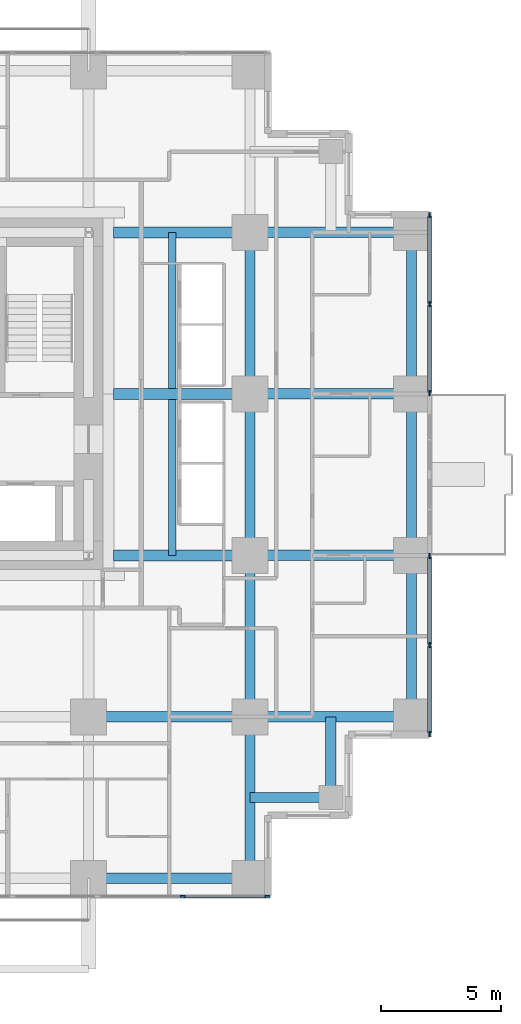
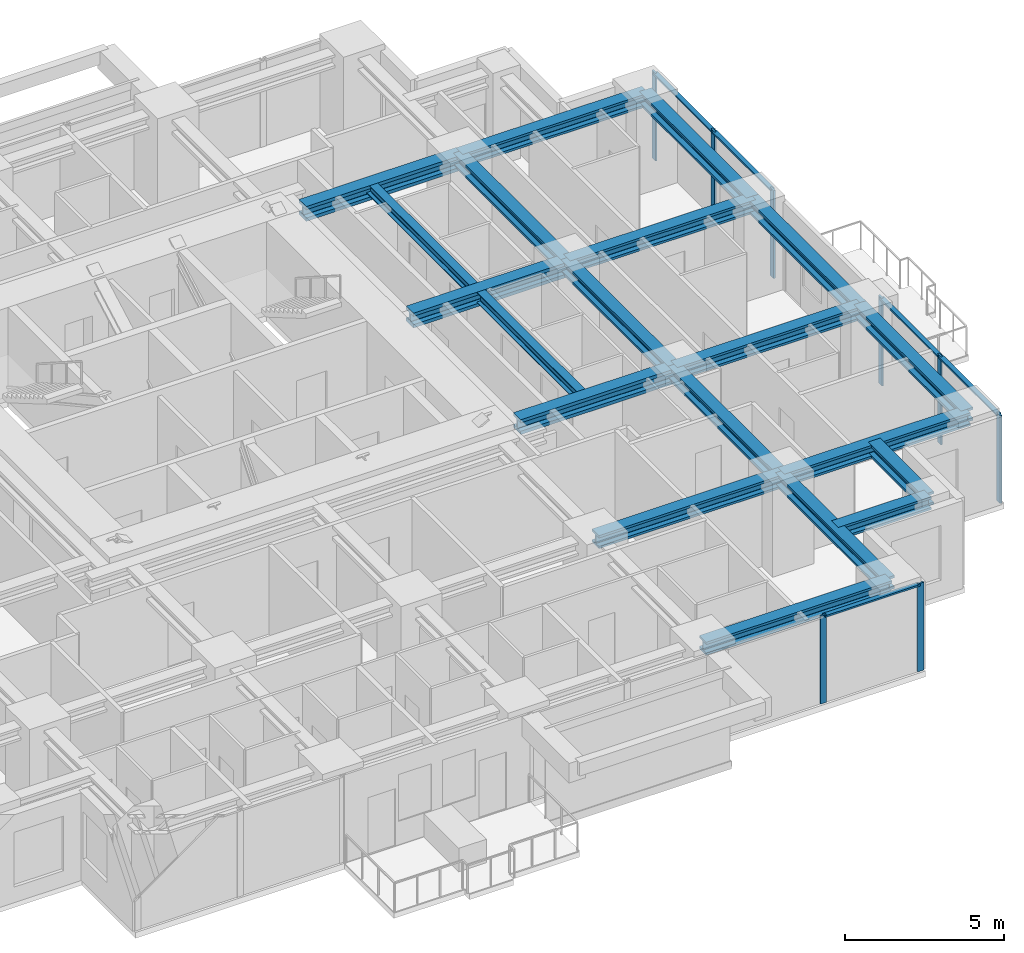
# One storey, part 4 of 13: 20 beams, 13 members, 3 elements without a shape of their own.
"""IFC4 building model written with IfcOpenShell, lengths in metres."""

import ifcopenshell
import ifcopenshell.guid

model = None  # the IFC model being written
_history = None  # IfcOwnerHistory: only IFC2X3 demands one
_inside = {}  # id of a spatial element -> (the spatial element, [elements in it])
_under = {}  # id of a project, library or spatial element -> (it, [spatial elements below it])
_declared = {}  # id of a project -> (the project, [libraries it declares])
_typed = {}  # id of a type object -> (the type object, [elements of that type])
_made_of = {}  # id of a material, layer set ... -> (it, [elements and type objects made of it])


def new_model(schema):
    """Start an empty IFC model of exactly this schema.

    Asked for "IFC4X3", IfcOpenShell would pick the latest addendum, in which some entities
    have other attributes; the version numbers below select the first issue.
    IFC2X3 requires an IfcOwnerHistory on every rooted entity: one is made here for all.
    """
    global model, _history
    if schema == "IFC4X3":
        model = ifcopenshell.file(schema_version=(4, 3, 0, 0))
    else:
        model = ifcopenshell.file(schema=schema)
    _inside.clear()
    _under.clear()
    _declared.clear()
    _typed.clear()
    _made_of.clear()
    _history = None
    if model.schema == "IFC2X3":
        org = make("IfcOrganization", Name="unknown")
        user = make(
            "IfcPersonAndOrganization",
            ThePerson=make("IfcPerson", FamilyName="unknown"),
            TheOrganization=org,
        )
        app = make(
            "IfcApplication",
            ApplicationDeveloper=org,
            Version="unknown",
            ApplicationFullName="unknown",
            ApplicationIdentifier="unknown",
        )
        _history = make(
            "IfcOwnerHistory",
            OwningUser=user,
            OwningApplication=app,
            ChangeAction="ADDED",
            CreationDate=0,
        )
    return model


def make(cls, **values):
    """One entity of the class cls with the attributes given. An attribute that is None is left unset."""
    return model.create_entity(
        cls, **{name: value for name, value in values.items() if value is not None}
    )


def rooted(cls, **values):
    """An entity with a GlobalId (a new one), such as an element, a storey or a relation."""
    return make(cls, GlobalId=ifcopenshell.guid.new(), OwnerHistory=_history, **values)


def si_unit(unit_type, name, prefix=None):
    """IfcSIUnit, for example si_unit("LENGTHUNIT", "METRE", prefix="MILLI")."""
    return make("IfcSIUnit", UnitType=unit_type, Prefix=prefix, Name=name)


def assignment(units):
    """IfcUnitAssignment: the units of a project."""
    return None if units is None else make("IfcUnitAssignment", Units=units)


def point(xyz):
    """IfcCartesianPoint."""
    return None if xyz is None else make("IfcCartesianPoint", Coordinates=xyz)


def direction(xyz):
    """IfcDirection."""
    return None if xyz is None else make("IfcDirection", DirectionRatios=xyz)


def frame(location, z_axis=None, x_axis=None):
    """IfcAxis2Placement3D, a coordinate frame: its origin and axes. An axis left out is left unset."""
    return make(
        "IfcAxis2Placement3D",
        Location=point(location),
        Axis=direction(z_axis),
        RefDirection=direction(x_axis),
    )


def frame_2d(location, x_axis=None):
    """IfcAxis2Placement2D, a coordinate frame in the plane: its origin and x axis."""
    return make(
        "IfcAxis2Placement2D", Location=point(location), RefDirection=direction(x_axis)
    )


def origin():
    """The frame at (0, 0, 0) with its axes left unset."""
    return frame((0.0, 0.0, 0.0))


def origin_2d():
    """The frame at (0, 0) in the plane with its x axis left unset."""
    return frame_2d((0.0, 0.0))


def place(relative_to, where):
    """IfcLocalPlacement: puts the frame where relative to a parent placement (None: the world)."""
    return make(
        "IfcLocalPlacement", PlacementRelTo=relative_to, RelativePlacement=where
    )


def context(
    kind, dimensions, precision=None, world=None, true_north=None, identifier=None
):
    """IfcGeometricRepresentationContext, for example the 3D "Model" context."""
    return make(
        "IfcGeometricRepresentationContext",
        ContextIdentifier=identifier,
        ContextType=kind,
        CoordinateSpaceDimension=dimensions,
        Precision=precision,
        WorldCoordinateSystem=world,
        TrueNorth=true_north,
    )


def subcontext(parent, identifier, kind, view, scale=None):
    """IfcGeometricRepresentationSubContext, for example "Body" below "Model"."""
    return make(
        "IfcGeometricRepresentationSubContext",
        ContextIdentifier=identifier,
        ContextType=kind,
        ParentContext=parent,
        TargetScale=scale,
        TargetView=view,
    )


def project(units=None, contexts=None):
    """IfcProject with its units and contexts."""
    return rooted(
        "IfcProject",
        Name="project",
        RepresentationContexts=contexts,
        UnitsInContext=assignment(units),
    )


def spatial(cls, under=None, at=None, **own):
    """A site, building, storey or space (cls), placed at a placement, below another one or the project."""
    s = rooted(cls, ObjectPlacement=at, **own)
    if under is not None:
        _under.setdefault(under.id(), (under, []))[1].append(s)
    return s


def profile(cls, at=None, kind="AREA", **sizes):
    """A parametric profile (cls). Its sizes go by their IFC names, for example OverallWidth=200.0."""
    return make(cls, ProfileType=kind, Position=at, **sizes)


def rectangle(**sizes):
    """IfcRectangleProfileDef."""
    return profile("IfcRectangleProfileDef", **sizes)


def i_section(**sizes):
    """IfcIShapeProfileDef."""
    return profile("IfcIShapeProfileDef", **sizes)


def extrude(swept, where, along, depth):
    """IfcExtrudedAreaSolid: the profile swept, set in the frame where, extruded along a direction by depth."""
    return make(
        "IfcExtrudedAreaSolid",
        SweptArea=swept,
        Position=where,
        ExtrudedDirection=direction(along),
        Depth=depth,
    )


def shape(context_of_items, identifier, shape_type, items):
    """IfcShapeRepresentation: the items that make up one representation, for example the "Body"."""
    return make(
        "IfcShapeRepresentation",
        ContextOfItems=context_of_items,
        RepresentationIdentifier=identifier,
        RepresentationType=shape_type,
        Items=items,
    )


def material(Name=None, Category=None):
    """IfcMaterial."""
    return make("IfcMaterial", Name=Name, Category=Category)


def material_profile(
    of_material, cross_section, Name=None, Category=None, Priority=None
):
    """IfcMaterialProfile: a cross section and its material."""
    return make(
        "IfcMaterialProfile",
        Name=Name,
        Material=of_material,
        Profile=cross_section,
        Priority=Priority,
        Category=Category,
    )


def profile_set(profiles, Name=None, composite=None):
    """IfcMaterialProfileSet."""
    return make(
        "IfcMaterialProfileSet",
        Name=Name,
        MaterialProfiles=profiles,
        CompositeProfile=composite,
    )


def made_of(thing, what):
    """Note that an element or type object is made of a material, layer set ...; save() writes the relation."""
    if what is not None:
        _made_of.setdefault(what.id(), (what, []))[1].append(thing)
    return thing


def type_object(cls, material=None, **own):
    """A type object (cls), such as IfcWallType, which elements share."""
    return made_of(rooted(cls, **own), material)


def element(
    cls,
    number,
    at=None,
    inside=None,
    cuts=None,
    type_object=None,
    material=None,
    context=None,
    identifier="Body",
    shape_type=None,
    held_by="IfcProductDefinitionShape",
    body=None,
    shapes=None,
    **own,
):
    """One element of the class cls, such as IfcWall. Its Tag is "e" and its number.

    at: its placement. inside: the storey or other place that contains it. cuts: it is an
    opening in that element (IfcRelVoidsElement). A single representation is given by context,
    identifier, shape_type and body (its items); several are given by shapes. held_by: the class
    of the entity that holds the representations. save() writes the other relations.
    """
    e = rooted(cls, Tag="e%d" % number, ObjectPlacement=at, **own)
    if body is not None:
        shapes = [shape(context, identifier, shape_type, body)]
    if shapes is not None:
        e.Representation = make(held_by, Representations=shapes)
    if inside is not None:
        _inside.setdefault(inside.id(), (inside, []))[1].append(e)
    if cuts is not None:
        rooted(
            "IfcRelVoidsElement", RelatingBuildingElement=cuts, RelatedOpeningElement=e
        )
    if type_object is not None:
        _typed.setdefault(type_object.id(), (type_object, []))[1].append(e)
    return made_of(e, material)


def aggregate(whole, parts):
    """IfcRelAggregates: a whole, such as a stair, and the parts it consists of."""
    return rooted("IfcRelAggregates", RelatingObject=whole, RelatedObjects=parts)


def save(model, path):
    """Write the relations noted so far, then the file.

    IfcRelAggregates (storeys below a building ...), IfcRelContainedInSpatialStructure (elements
    in a storey), IfcRelDefinesByType, IfcRelAssociatesMaterial and IfcRelDeclares: one each for
    every whole, place, type object, material and project.
    """
    for whole, parts in _under.values():
        aggregate(whole, parts)
    for where, things in _inside.values():
        rooted(
            "IfcRelContainedInSpatialStructure",
            RelatedElements=things,
            RelatingStructure=where,
        )
    for kind, things in _typed.values():
        rooted("IfcRelDefinesByType", RelatedObjects=things, RelatingType=kind)
    for what, things in _made_of.values():
        rooted("IfcRelAssociatesMaterial", RelatedObjects=things, RelatingMaterial=what)
    for by, libraries in _declared.values():
        rooted("IfcRelDeclares", RelatingContext=by, RelatedDefinitions=libraries)
    model.write(path)


model = new_model("IFC4")

# Units and contexts
model_context = context("Model", 3, precision=1e-05, world=origin(), true_north=direction((0.0, 1.0)))
body_context = subcontext(model_context, "Body", "Model", "MODEL_VIEW")
ifc_project = project(units=[si_unit("LENGTHUNIT", "METRE"), si_unit("AREAUNIT", "SQUARE_METRE"), si_unit("VOLUMEUNIT", "CUBIC_METRE"), si_unit("PLANEANGLEUNIT", "RADIAN"), si_unit("MASSUNIT", "GRAM", prefix="KILO")], contexts=[model_context])

# Site, building, storey
site_placement = place(None, origin())
site = spatial("IfcSite", under=ifc_project, at=site_placement, CompositionType="ELEMENT")
building_placement = place(site_placement, origin())
building = spatial("IfcBuilding", under=site, at=building_placement, Name="Nyansa Garden Tower", CompositionType="ELEMENT")
storey_placement = place(building_placement, frame((0.0, 0.0, 116.10009765625)))
storey = spatial("IfcBuildingStorey", under=building, at=storey_placement, Name="L31", CompositionType="ELEMENT", Elevation=116.10009765625)

# Curtain wall, members
ifc_material_1 = material(Name="Black anodised aluminium, dark tinted double glazing", Category="aluminium")
curtain_wall_type = type_object("IfcCurtainWallType", Name="Inner skin curtain wall ISW-B", PredefinedType="USERDEFINED", material=ifc_material_1)
curtain_wall_1_placement = place(storey_placement, origin())
curtain_wall_1 = element("IfcCurtainWall", 1, at=curtain_wall_1_placement, inside=storey, type_object=curtain_wall_type, Name="Inner skin curtain wall L31 E", ObjectType="UNITISED CURTAIN WALL", PredefinedType="USERDEFINED")
ifc_material_2 = material(Name="Black anodised aluminium", Category="aluminium")
ifc_material_profile_1 = material_profile(ifc_material_2, rectangle(XDim=0.06494140625, YDim=0.22509765625, at=origin_2d()), Name="Mullion 225x65")
ifc_profile_set_1 = profile_set([ifc_material_profile_1], Name="Black anodised aluminium")
member_type_1 = type_object("IfcMemberType", Name="Mullion ISW-B 225x65", PredefinedType="MULLION", material=ifc_profile_set_1)
member_1_placement = place(storey_placement, frame((41.25, 6.032470703125, 0.0), z_axis=(0.0, 0.0, 1.0), x_axis=(-1.0, 0.0, 0.0)))
member_1 = element("IfcMember", 2, at=member_1_placement, type_object=member_type_1, Name="ISW-B mullion 1", PredefinedType="MULLION", context=body_context, shape_type="SweptSolid", body=[
    extrude(rectangle(XDim=0.06494140625, YDim=0.22509765625, at=origin_2d()), origin(), (0.0, 0.0, 1.0), 3.375),
])
member_2_placement = place(storey_placement, frame((41.25, 9.75, 0.0), z_axis=(0.0, 0.0, 1.0), x_axis=(-1.0, 0.0, 0.0)))
member_2 = element("IfcMember", 3, at=member_2_placement, type_object=member_type_1, Name="ISW-B mullion 2", PredefinedType="MULLION", context=body_context, shape_type="SweptSolid", body=[
    extrude(rectangle(XDim=0.06494140625, YDim=0.22509765625, at=origin_2d()), origin(), (0.0, 0.0, 1.0), 3.375),
])
member_3_placement = place(storey_placement, frame((41.25, 13.467529296875, 0.0), z_axis=(0.0, 0.0, 1.0), x_axis=(-1.0, 0.0, 0.0)))
member_3 = element("IfcMember", 4, at=member_3_placement, type_object=member_type_1, Name="ISW-B mullion 3", PredefinedType="MULLION", context=body_context, shape_type="SweptSolid", body=[
    extrude(rectangle(XDim=0.06494140625, YDim=0.22509765625, at=origin_2d()), origin(), (0.0, 0.0, 1.0), 3.375),
])

curtain_wall_2_placement = place(storey_placement, origin())
curtain_wall_2 = element("IfcCurtainWall", 5, at=curtain_wall_2_placement, inside=storey, type_object=curtain_wall_type, Name="Inner skin curtain wall L31 E", ObjectType="UNITISED CURTAIN WALL", PredefinedType="USERDEFINED")
member_4_placement = place(storey_placement, frame((41.25, 20.282470703125, 0.0), z_axis=(0.0, 0.0, 1.0), x_axis=(-1.0, 0.0, 0.0)))
member_4 = element("IfcMember", 6, at=member_4_placement, type_object=member_type_1, Name="ISW-B mullion 1", PredefinedType="MULLION", context=body_context, shape_type="SweptSolid", body=[
    extrude(rectangle(XDim=0.06494140625, YDim=0.22509765625, at=origin_2d()), origin(), (0.0, 0.0, 1.0), 3.375),
])
member_5_placement = place(storey_placement, frame((41.25, 24.0, 0.0), z_axis=(0.0, 0.0, 1.0), x_axis=(-1.0, 0.0, 0.0)))
member_5 = element("IfcMember", 7, at=member_5_placement, type_object=member_type_1, Name="ISW-B mullion 2", PredefinedType="MULLION", context=body_context, shape_type="SweptSolid", body=[
    extrude(rectangle(XDim=0.06494140625, YDim=0.22509765625, at=origin_2d()), origin(), (0.0, 0.0, 1.0), 3.375),
])
member_6_placement = place(storey_placement, frame((41.25, 27.717529296875, 0.0), z_axis=(0.0, 0.0, 1.0), x_axis=(-1.0, 0.0, 0.0)))
member_6 = element("IfcMember", 8, at=member_6_placement, type_object=member_type_1, Name="ISW-B mullion 3", PredefinedType="MULLION", context=body_context, shape_type="SweptSolid", body=[
    extrude(rectangle(XDim=0.06494140625, YDim=0.22509765625, at=origin_2d()), origin(), (0.0, 0.0, 1.0), 3.375),
])

curtain_wall_3_placement = place(storey_placement, origin())
curtain_wall_3 = element("IfcCurtainWall", 9, at=curtain_wall_3_placement, inside=storey, type_object=curtain_wall_type, Name="Inner skin curtain wall L31 S", ObjectType="UNITISED CURTAIN WALL", PredefinedType="USERDEFINED")
member_7_placement = place(storey_placement, frame((30.9375, -0.75, 0.0), z_axis=(0.0, 0.0, 1.0), x_axis=(0.0, 1.0, 0.0)))
member_7 = element("IfcMember", 10, at=member_7_placement, type_object=member_type_1, Name="ISW-B mullion 4", PredefinedType="MULLION", context=body_context, shape_type="SweptSolid", body=[
    extrude(rectangle(XDim=0.06494140625, YDim=0.22509765625, at=origin_2d()), origin(), (0.0, 0.0, 1.0), 3.375),
])
member_8_placement = place(storey_placement, frame((34.467529296875, -0.75, 0.0), z_axis=(0.0, 0.0, 1.0), x_axis=(0.0, 1.0, 0.0)))
member_8 = element("IfcMember", 11, at=member_8_placement, type_object=member_type_1, Name="ISW-B mullion 5", PredefinedType="MULLION", context=body_context, shape_type="SweptSolid", body=[
    extrude(rectangle(XDim=0.06494140625, YDim=0.22509765625, at=origin_2d()), origin(), (0.0, 0.0, 1.0), 3.375),
])

# Beams
ifc_material_3 = material(Name="Steel S355", Category="steel")
ifc_material_profile_2 = material_profile(ifc_material_3, i_section(OverallWidth=0.431884765625, OverallDepth=0.498046875, WebThickness=0.0556640625, FlangeThickness=0.0888671875, FilletRadius=0.014892578125, at=origin_2d()), Name="HD 400x744")
ifc_profile_set_2 = profile_set([ifc_material_profile_2], Name="Steel S355")
beam_type_1 = type_object("IfcBeamType", Name="Steel beam SBB1-744 HD 400x744", PredefinedType="BEAM", material=ifc_profile_set_2)
for number, where, z_axis, x_axis, name in (
    (12, (27.0, 6.75, 3.1259765625), (1.0, 0.0, 0.0), (0.0, 1.0, 0.0), "Steel beam 6/E-7/E L32"),
    (13, (33.75, 0.0, 3.1259765625), (0.0, 1.0, 0.0), (-1.0, 0.0, 0.0), "Steel beam 7/D-7/E L32"),
    (14, (33.75, 6.75, 3.1259765625), (0.0, 1.0, 0.0), (-1.0, 0.0, 0.0), "Steel beam 7/E-7/F L32"),
    (15, (33.75, 6.75, 3.1259765625), (1.0, 0.0, 0.0), (0.0, 1.0, 0.0), "Steel beam 7/E-8/E L32"),
    (16, (33.75, 13.5, 3.1259765625), (0.0, 1.0, 0.0), (-1.0, 0.0, 0.0), "Steel beam 7/F-7/G L32"),
    (17, (33.75, 13.5, 3.1259765625), (1.0, 0.0, 0.0), (0.0, 1.0, 0.0), "Steel beam 7/F-8/F L32"),
    (18, (33.75, 20.25, 3.1259765625), (0.0, 1.0, 0.0), (-1.0, 0.0, 0.0), "Steel beam 7/G-7/H L32"),
    (19, (33.75, 20.25, 3.1259765625), (1.0, 0.0, 0.0), (0.0, 1.0, 0.0), "Steel beam 7/G-8/G L32"),
    (20, (33.75, 27.0, 3.1259765625), (1.0, 0.0, 0.0), (0.0, 1.0, 0.0), "Steel beam 7/H-8/H L32"),
):
    element("IfcBeam", number, at=place(storey_placement, frame(where, z_axis=z_axis, x_axis=x_axis)), inside=storey, type_object=beam_type_1, Name=name, PredefinedType="BEAM", context=body_context, shape_type="SweptSolid", body=[
        extrude(i_section(OverallWidth=0.431884765625, OverallDepth=0.498046875, WebThickness=0.0556640625, FlangeThickness=0.0888671875, FilletRadius=0.014892578125, at=origin_2d()), origin(), (0.0, 0.0, 1.0), 6.75),
    ])
ifc_material_4 = material(Name="Steel S355", Category="steel")
ifc_material_profile_3 = material_profile(ifc_material_4, i_section(OverallWidth=0.4541015625, OverallDepth=0.569091796875, WebThickness=0.077880859375, FlangeThickness=0.125, FilletRadius=0.014892578125, at=origin_2d()), Name="HD 400x1086")
ifc_profile_set_3 = profile_set([ifc_material_profile_3], Name="Steel S355")
beam_type_2 = type_object("IfcBeamType", Name="Steel beam SCL-1086 HD 400x1086", PredefinedType="BEAM", material=ifc_profile_set_3)
for number, where, z_axis, x_axis, name in (
    (21, (28.050048828125, 13.5, 3.09033203125), (1.0, 0.0, 0.0), (0.0, 1.0, 0.0), "Steel beam 28.050/F-7/F L32"),
    (22, (28.050048828125, 20.25, 3.09033203125), (1.0, 0.0, 0.0), (0.0, 1.0, 0.0), "Steel beam 28.050/G-7/G L32"),
    (23, (28.050048828125, 27.0, 3.09033203125), (1.0, 0.0, 0.0), (0.0, 1.0, 0.0), "Steel beam 28.050/H-7/H L32"),
):
    element("IfcBeam", number, at=place(storey_placement, frame(where, z_axis=z_axis, x_axis=x_axis)), inside=storey, type_object=beam_type_2, Name=name, PredefinedType="BEAM", context=body_context, shape_type="SweptSolid", body=[
        extrude(i_section(OverallWidth=0.4541015625, OverallDepth=0.569091796875, WebThickness=0.077880859375, FlangeThickness=0.125, FilletRadius=0.014892578125, at=origin_2d()), origin(), (0.0, 0.0, 1.0), 5.699951171875),
    ])
ifc_material_5 = material(Name="Steel S355", Category="steel")
ifc_material_profile_4 = material_profile(ifc_material_5, i_section(OverallWidth=0.431884765625, OverallDepth=0.498046875, WebThickness=0.0556640625, FlangeThickness=0.0888671875, FilletRadius=0.014892578125, at=origin_2d()), Name="HD 400x744")
ifc_profile_set_4 = profile_set([ifc_material_profile_4], Name="Steel S355")
beam_type_3 = type_object("IfcBeamType", Name="Steel beam SEBB-744 HD 400x744", PredefinedType="BEAM", material=ifc_profile_set_4)
for number, where, z_axis, x_axis, name in (
    (24, (27.0, 0.0, 3.1259765625), (1.0, 0.0, 0.0), (0.0, 1.0, 0.0), "Steel edge beam 6/D-7/D L32"),
    (25, (40.5, 6.75, 3.1259765625), (0.0, 1.0, 0.0), (-1.0, 0.0, 0.0), "Steel edge beam 8/E-8/F L32"),
    (26, (40.5, 13.5, 3.1259765625), (0.0, 1.0, 0.0), (-1.0, 0.0, 0.0), "Steel edge beam 8/F-8/G L32"),
    (27, (40.5, 20.25, 3.1259765625), (0.0, 1.0, 0.0), (-1.0, 0.0, 0.0), "Steel edge beam 8/G-8/H L32"),
):
    element("IfcBeam", number, at=place(storey_placement, frame(where, z_axis=z_axis, x_axis=x_axis)), inside=storey, type_object=beam_type_3, Name=name, PredefinedType="BEAM", context=body_context, shape_type="SweptSolid", body=[
        extrude(i_section(OverallWidth=0.431884765625, OverallDepth=0.498046875, WebThickness=0.0556640625, FlangeThickness=0.0888671875, FilletRadius=0.014892578125, at=origin_2d()), origin(), (0.0, 0.0, 1.0), 6.75),
    ])
ifc_material_6 = material(Name="Steel S355", Category="steel")
ifc_material_profile_5 = material_profile(ifc_material_6, i_section(OverallWidth=0.431884765625, OverallDepth=0.498046875, WebThickness=0.0556640625, FlangeThickness=0.0888671875, FilletRadius=0.014892578125, at=origin_2d()), Name="HD 400x744")
ifc_profile_set_5 = profile_set([ifc_material_profile_5], Name="Steel S355")
beam_type_4 = type_object("IfcBeamType", Name="Steel beam SSB1-744 HD 400x744", PredefinedType="BEAM", material=ifc_profile_set_5)
for number, where, z_axis, x_axis, name in (
    (28, (37.125, 3.375, 3.1259765625), (0.0, 1.0, 0.0), (-1.0, 0.0, 0.0), "Steel step beam 37.125/3.375 L32"),
    (29, (37.125, 3.375, 3.1259765625), (-1.0, 0.0, 0.0), (0.0, -1.0, 0.0), "Steel step beam 37.125/3.375 L32"),
):
    element("IfcBeam", number, at=place(storey_placement, frame(where, z_axis=z_axis, x_axis=x_axis)), inside=storey, type_object=beam_type_4, Name=name, PredefinedType="BEAM", context=body_context, shape_type="SweptSolid", body=[
        extrude(i_section(OverallWidth=0.431884765625, OverallDepth=0.498046875, WebThickness=0.0556640625, FlangeThickness=0.0888671875, FilletRadius=0.014892578125, at=origin_2d()), origin(), (0.0, 0.0, 1.0), 3.375),
    ])

# Member
ifc_material_7 = material(Name="Black anodised aluminium", Category="aluminium")
ifc_material_profile_6 = material_profile(ifc_material_7, rectangle(XDim=0.1650390625, YDim=0.06494140625, at=origin_2d()), Name="Transom 165x65")
ifc_profile_set_6 = profile_set([ifc_material_profile_6], Name="Black anodised aluminium")
member_type_2 = type_object("IfcMemberType", Name="Transom ISW-B 165x65", PredefinedType="USERDEFINED", material=ifc_profile_set_6)
member_9_placement = place(storey_placement, frame((41.25, 6.06494140625, 3.34228515625), z_axis=(0.0, 1.0, 0.0), x_axis=(-1.0, 0.0, 0.0)))
member_9 = element("IfcMember", 30, at=member_9_placement, type_object=member_type_2, Name="ISW-B transom 1", ObjectType="TRANSOM", PredefinedType="USERDEFINED", context=body_context, shape_type="SweptSolid", body=[
    extrude(rectangle(XDim=0.1650390625, YDim=0.06494140625, at=origin_2d()), origin(), (0.0, 0.0, 1.0), 3.652587890625),
])

member_10_placement = place(storey_placement, frame((41.25, 9.782470703125, 3.34228515625), z_axis=(0.0, 1.0, 0.0), x_axis=(-1.0, 0.0, 0.0)))
member_10 = element("IfcMember", 31, at=member_10_placement, type_object=member_type_2, Name="ISW-B transom 2", ObjectType="TRANSOM", PredefinedType="USERDEFINED", context=body_context, shape_type="SweptSolid", body=[
    extrude(rectangle(XDim=0.1650390625, YDim=0.06494140625, at=origin_2d()), origin(), (0.0, 0.0, 1.0), 3.652587890625),
])

aggregate(curtain_wall_1, [member_1, member_2, member_3, member_9, member_10])

member_11_placement = place(storey_placement, frame((41.25, 20.31494140625, 3.34228515625), z_axis=(0.0, 1.0, 0.0), x_axis=(-1.0, 0.0, 0.0)))
member_11 = element("IfcMember", 32, at=member_11_placement, type_object=member_type_2, Name="ISW-B transom 1", ObjectType="TRANSOM", PredefinedType="USERDEFINED", context=body_context, shape_type="SweptSolid", body=[
    extrude(rectangle(XDim=0.1650390625, YDim=0.06494140625, at=origin_2d()), origin(), (0.0, 0.0, 1.0), 3.652587890625),
])

member_12_placement = place(storey_placement, frame((41.25, 24.032470703125, 3.34228515625), z_axis=(0.0, 1.0, 0.0), x_axis=(-1.0, 0.0, 0.0)))
member_12 = element("IfcMember", 33, at=member_12_placement, type_object=member_type_2, Name="ISW-B transom 2", ObjectType="TRANSOM", PredefinedType="USERDEFINED", context=body_context, shape_type="SweptSolid", body=[
    extrude(rectangle(XDim=0.1650390625, YDim=0.06494140625, at=origin_2d()), origin(), (0.0, 0.0, 1.0), 3.652587890625),
])

aggregate(curtain_wall_2, [member_4, member_5, member_6, member_11, member_12])

member_13_placement = place(storey_placement, frame((30.969970703125, -0.75, 3.34228515625), z_axis=(1.0, 0.0, 0.0), x_axis=(0.0, 1.0, 0.0)))
member_13 = element("IfcMember", 34, at=member_13_placement, type_object=member_type_2, Name="ISW-B transom 4", ObjectType="TRANSOM", PredefinedType="USERDEFINED", context=body_context, shape_type="SweptSolid", body=[
    extrude(rectangle(XDim=0.1650390625, YDim=0.06494140625, at=origin_2d()), origin(), (0.0, 0.0, 1.0), 3.465087890625),
])

aggregate(curtain_wall_3, [member_7, member_8, member_13])

# Beams
ifc_material_8 = material(Name="Steel S355", Category="steel")
ifc_material_profile_7 = material_profile(ifc_material_8, i_section(OverallWidth=0.300048828125, OverallDepth=0.39990234375, WebThickness=0.013427734375, FlangeThickness=0.02392578125, FilletRadius=0.027099609375, at=origin_2d()), Name="HE 400 B")
ifc_profile_set_7 = profile_set([ifc_material_profile_7], Name="Steel S355")
beam_type_5 = type_object("IfcBeamType", Name="Trimmer beam TR1 HE 400 B", PredefinedType="BEAM", material=ifc_profile_set_7)
for number, where, z_axis, x_axis, name in (
    (35, (30.5, 13.5, 3.1748046875), (0.0, 1.0, 0.0), (-1.0, 0.0, 0.0), "Trimmer beam 1 L32"),
    (36, (30.5, 20.47705078125, 3.1748046875), (0.0, 1.0, 0.0), (-1.0, 0.0, 0.0), "Trimmer beam 2 L32"),
):
    element("IfcBeam", number, at=place(storey_placement, frame(where, z_axis=z_axis, x_axis=x_axis)), inside=storey, type_object=beam_type_5, Name=name, PredefinedType="BEAM", context=body_context, shape_type="SweptSolid", body=[
        extrude(i_section(OverallWidth=0.300048828125, OverallDepth=0.39990234375, WebThickness=0.013427734375, FlangeThickness=0.02392578125, FilletRadius=0.027099609375, at=origin_2d()), origin(), (0.0, 0.0, 1.0), 6.52294921875),
    ])

save(model, "model.ifc")
